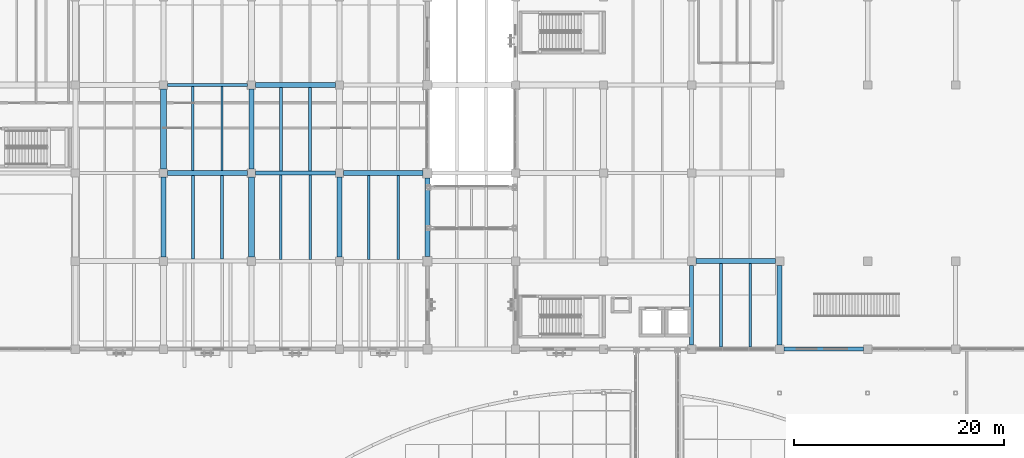
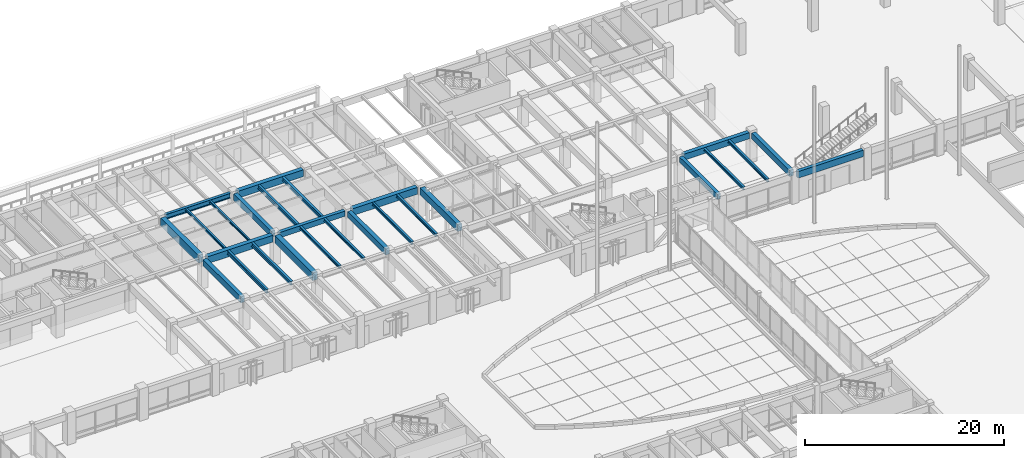
# One storey, part 46 of 135: 27 beams.
"""IFC4 building model written with IfcOpenShell, lengths in metres."""

from ifc_helpers import new_model, si_unit, direction, frame, origin, origin_2d, place, context, subcontext, project, spatial, rectangle, i_section, extrude, material, material_profile, profile_set, type_object, element, save


model = new_model("IFC4")

# Units and contexts
model_context = context("Model", 3, precision=1e-05, world=origin(), true_north=direction((0.0, 1.0)))
body_context = subcontext(model_context, "Body", "Model", "MODEL_VIEW")
ifc_project = project(units=[si_unit("LENGTHUNIT", "METRE"), si_unit("AREAUNIT", "SQUARE_METRE"), si_unit("VOLUMEUNIT", "CUBIC_METRE"), si_unit("PLANEANGLEUNIT", "RADIAN"), si_unit("MASSUNIT", "GRAM", prefix="KILO")], contexts=[model_context])

# Site, building, storey
site_placement = place(None, origin())
site = spatial("IfcSite", under=ifc_project, at=site_placement, CompositionType="ELEMENT")
building_placement = place(site_placement, origin())
building = spatial("IfcBuilding", under=site, at=building_placement, Name="Cumbredor Promenade Congress Hotel", CompositionType="ELEMENT")
storey_placement = place(building_placement, origin())
storey = spatial("IfcBuildingStorey", under=building, at=storey_placement, Name="L00", CompositionType="ELEMENT", Elevation=0.0)

# Beams
ifc_material_1 = material(Name="Concrete C40/50", Category="concrete")
ifc_material_profile_1 = material_profile(ifc_material_1, rectangle(XDim=0.39990234375, YDim=0.64990234375, at=origin_2d()), Name="RC BEAM 400x650")
ifc_profile_set_1 = profile_set([ifc_material_profile_1], Name="Concrete C40/50")
beam_type_1 = type_object("IfcBeamType", Name="BM-RC-400x650", PredefinedType="BEAM", material=ifc_profile_set_1)
beam_1_placement = place(storey_placement, frame((67.60009765625, 100.800048828125, 3.31494140625), z_axis=(1.0, 0.0, 0.0), x_axis=(0.0, 1.0, 0.0)))
element("IfcBeam", 1, at=beam_1_placement, inside=storey, type_object=beam_type_1, Name="L01 X-Grid Beam 126", PredefinedType="BEAM", context=body_context, shape_type="SweptSolid", body=[
    extrude(rectangle(XDim=0.39990234375, YDim=0.64990234375, at=origin_2d()), origin(), (0.0, 0.0, 1.0), 7.599853515625),
])
beam_2_placement = place(storey_placement, frame((109.199951171875, 84.39990234375, 3.31494140625), z_axis=(0.0, 1.0, 0.0), x_axis=(-1.0, 0.0, 0.0)))
element("IfcBeam", 2, at=beam_2_placement, inside=storey, type_object=beam_type_1, Name="L01 Y-Grid Beam 194", PredefinedType="BEAM", context=body_context, shape_type="SweptSolid", body=[
    extrude(rectangle(XDim=0.39990234375, YDim=0.64990234375, at=origin_2d()), origin(), (0.0, 0.0, 1.0), 7.60009765625),
])
ifc_material_profile_2 = material_profile(ifc_material_1, rectangle(XDim=0.449951171875, YDim=0.75, at=origin_2d()), Name="RC BEAM 450x750")
ifc_profile_set_2 = profile_set([ifc_material_profile_2], Name="Concrete C40/50")
beam_type_2 = type_object("IfcBeamType", Name="BM-RC-450x750", PredefinedType="BEAM", material=ifc_profile_set_2)
beam_3_placement = place(storey_placement, frame((58.800048828125, 92.800048828125, 3.264892578125), z_axis=(0.0, 1.0, 0.0), x_axis=(-1.0, 0.0, 0.0)))
element("IfcBeam", 3, at=beam_3_placement, inside=storey, type_object=beam_type_2, Name="L01 Y-Grid Beam 103", PredefinedType="BEAM", context=body_context, shape_type="SweptSolid", body=[
    extrude(rectangle(XDim=0.449951171875, YDim=0.75, at=origin_2d()), origin(), (0.0, 0.0, 1.0), 7.599853515625),
])
beam_4_placement = place(storey_placement, frame((67.199951171875, 101.199951171875, 3.264892578125), z_axis=(0.0, 1.0, 0.0), x_axis=(-1.0, 0.0, 0.0)))
element("IfcBeam", 4, at=beam_4_placement, inside=storey, type_object=beam_type_2, Name="L01 Y-Grid Beam 127", PredefinedType="BEAM", context=body_context, shape_type="SweptSolid", body=[
    extrude(rectangle(XDim=0.449951171875, YDim=0.75, at=origin_2d()), origin(), (0.0, 0.0, 1.0), 7.60009765625),
])
for number, where, z_axis, x_axis, name in (
    (5, (75.60009765625, 92.800048828125, 3.264892578125), (0.0, 1.0, 0.0), (-1.0, 0.0, 0.0), "L01 Y-Grid Beam 143"),
    (6, (109.60009765625, 92.39990234375, 3.264892578125), (1.0, 0.0, 0.0), (0.0, 1.0, 0.0), "L01 X-Grid Beam 195"),
):
    element("IfcBeam", number, at=place(storey_placement, frame(where, z_axis=z_axis, x_axis=x_axis)), inside=storey, type_object=beam_type_2, Name=name, PredefinedType="BEAM", context=body_context, shape_type="SweptSolid", body=[
        extrude(rectangle(XDim=0.449951171875, YDim=0.75, at=origin_2d()), origin(), (0.0, 0.0, 1.0), 7.599853515625),
    ])
beam_5_placement = place(storey_placement, frame((117.60009765625, 84.39990234375, 3.264892578125), z_axis=(0.0, 1.0, 0.0), x_axis=(-1.0, 0.0, 0.0)))
element("IfcBeam", 7, at=beam_5_placement, inside=storey, type_object=beam_type_2, Name="L01 Y-Grid Beam 203", PredefinedType="BEAM", context=body_context, shape_type="SweptSolid", body=[
    extrude(rectangle(XDim=0.449951171875, YDim=0.75, at=origin_2d()), origin(), (0.0, 0.0, 1.0), 7.60009765625),
])
ifc_material_profile_3 = material_profile(ifc_material_1, rectangle(XDim=0.5, YDim=0.85009765625, at=origin_2d()), Name="RC BEAM 500x850")
ifc_profile_set_3 = profile_set([ifc_material_profile_3], Name="Concrete C40/50")
beam_type_3 = type_object("IfcBeamType", Name="BM-RC-500x850", PredefinedType="BEAM", material=ifc_profile_set_3)
beam_6_placement = place(storey_placement, frame((59.199951171875, 100.800048828125, 3.215087890625), z_axis=(1.0, 0.0, 0.0), x_axis=(0.0, 1.0, 0.0)))
element("IfcBeam", 8, at=beam_6_placement, inside=storey, type_object=beam_type_3, Name="L01 X-Grid Beam 104", PredefinedType="BEAM", context=body_context, shape_type="SweptSolid", body=[
    extrude(rectangle(XDim=0.5, YDim=0.85009765625, at=origin_2d()), origin(), (0.0, 0.0, 1.0), 7.60009765625),
])
beam_7_placement = place(storey_placement, frame((67.60009765625, 109.199951171875, 3.215087890625), z_axis=(1.0, 0.0, 0.0), x_axis=(0.0, 1.0, 0.0)))
element("IfcBeam", 9, at=beam_7_placement, inside=storey, type_object=beam_type_3, Name="L01 X-Grid Beam 128", PredefinedType="BEAM", context=body_context, shape_type="SweptSolid", body=[
    extrude(rectangle(XDim=0.5, YDim=0.85009765625, at=origin_2d()), origin(), (0.0, 0.0, 1.0), 7.599853515625),
])
beam_8_placement = place(storey_placement, frame((76.0, 100.800048828125, 3.215087890625), z_axis=(1.0, 0.0, 0.0), x_axis=(0.0, 1.0, 0.0)))
element("IfcBeam", 10, at=beam_8_placement, inside=storey, type_object=beam_type_3, Name="L01 X-Grid Beam 144", PredefinedType="BEAM", context=body_context, shape_type="SweptSolid", body=[
    extrude(rectangle(XDim=0.5, YDim=0.85009765625, at=origin_2d()), origin(), (0.0, 0.0, 1.0), 7.550048828125),
])
beam_9_placement = place(storey_placement, frame((84.0, 92.85009765625, 3.215087890625), z_axis=(0.0, 1.0, 0.0), x_axis=(-1.0, 0.0, 0.0)))
element("IfcBeam", 11, at=beam_9_placement, inside=storey, type_object=beam_type_3, Name="L01 Y-Grid Beam 156", PredefinedType="BEAM", context=body_context, shape_type="SweptSolid", body=[
    extrude(rectangle(XDim=0.5, YDim=0.85009765625, at=origin_2d()), origin(), (0.0, 0.0, 1.0), 7.5),
])
ifc_material_profile_4 = material_profile(ifc_material_1, rectangle(XDim=0.550048828125, YDim=0.949951171875, at=origin_2d()), Name="RC BEAM 550x950")
ifc_profile_set_4 = profile_set([ifc_material_profile_4], Name="Concrete C40/50")
beam_type_4 = type_object("IfcBeamType", Name="BM-RC-550x950", PredefinedType="BEAM", material=ifc_profile_set_4)
beam_10_placement = place(storey_placement, frame((58.800048828125, 101.199951171875, 3.1650390625), z_axis=(0.0, 1.0, 0.0), x_axis=(-1.0, 0.0, 0.0)))
element("IfcBeam", 12, at=beam_10_placement, inside=storey, type_object=beam_type_4, Name="L01 Y-Grid Beam 105", PredefinedType="BEAM", context=body_context, shape_type="SweptSolid", body=[
    extrude(rectangle(XDim=0.550048828125, YDim=0.949951171875, at=origin_2d()), origin(), (0.0, 0.0, 1.0), 7.60009765625),
])
beam_11_placement = place(storey_placement, frame((67.199951171875, 92.800048828125, 3.1650390625), z_axis=(0.0, 1.0, 0.0), x_axis=(-1.0, 0.0, 0.0)))
element("IfcBeam", 13, at=beam_11_placement, inside=storey, type_object=beam_type_4, Name="L01 Y-Grid Beam 125", PredefinedType="BEAM", context=body_context, shape_type="SweptSolid", body=[
    extrude(rectangle(XDim=0.550048828125, YDim=0.949951171875, at=origin_2d()), origin(), (0.0, 0.0, 1.0), 7.599853515625),
])
ifc_material_2 = material(Name="Steel ASTM A992 Grade 50", Category="steel")
ifc_material_profile_5 = material_profile(ifc_material_2, i_section(OverallWidth=0.323974609375, OverallDepth=0.611083984375, WebThickness=0.0126953125, FlangeThickness=0.01904296875, at=origin_2d()), Name="W24X104")
ifc_profile_set_5 = profile_set([ifc_material_profile_5], Name="Steel ASTM A992 Grade 50")
beam_type_5 = type_object("IfcBeamType", Name="BM-W24X104", PredefinedType="BEAM", material=ifc_profile_set_5)
beam_12_placement = place(storey_placement, frame((59.199951171875, 109.199951171875, 3.33447265625), z_axis=(1.0, 0.0, 0.0), x_axis=(0.0, 1.0, 0.0)))
element("IfcBeam", 14, at=beam_12_placement, inside=storey, type_object=beam_type_5, Name="L01 X-Grid Beam 106", PredefinedType="BEAM", context=body_context, shape_type="SweptSolid", body=[
    extrude(i_section(OverallWidth=0.323974609375, OverallDepth=0.611083984375, WebThickness=0.0126953125, FlangeThickness=0.01904296875, at=origin_2d()), origin(), (0.0, 0.0, 1.0), 7.60009765625),
])
ifc_material_profile_6 = material_profile(ifc_material_2, i_section(OverallWidth=0.202880859375, OverallDepth=0.302978515625, WebThickness=0.007568359375, FlangeThickness=0.01318359375, at=origin_2d()), Name="W12X40")
ifc_profile_set_6 = profile_set([ifc_material_profile_6], Name="Steel ASTM A992 Grade 50")
beam_type_6 = type_object("IfcBeamType", Name="JST-W12X40", PredefinedType="JOIST", material=ifc_profile_set_6)
for number, where, z_axis, x_axis, name in (
    (15, (61.60009765625, 101.050048828125, 3.488525390625), (0.0, 1.0, 0.0), (-1.0, 0.0, 0.0), "L01 Secondary Floor Joist 0058"),
    (16, (64.39990234375, 101.050048828125, 3.488525390625), (0.0, 1.0, 0.0), (-1.0, 0.0, 0.0), "L01 Secondary Floor Joist 0059"),
):
    element("IfcBeam", number, at=place(storey_placement, frame(where, z_axis=z_axis, x_axis=x_axis)), inside=storey, type_object=beam_type_6, Name=name, PredefinedType="JOIST", context=body_context, shape_type="SweptSolid", body=[
        extrude(i_section(OverallWidth=0.202880859375, OverallDepth=0.302978515625, WebThickness=0.007568359375, FlangeThickness=0.01318359375, at=origin_2d()), origin(), (0.0, 0.0, 1.0), 7.988037109375),
    ])
ifc_material_profile_7 = material_profile(ifc_material_2, i_section(OverallWidth=0.2548828125, OverallDepth=0.35693359375, WebThickness=0.010498046875, FlangeThickness=0.018310546875, at=origin_2d()), Name="W14X68")
ifc_profile_set_7 = profile_set([ifc_material_profile_7], Name="Steel ASTM A992 Grade 50")
beam_type_7 = type_object("IfcBeamType", Name="JST-W14X68", PredefinedType="JOIST", material=ifc_profile_set_7)
for number, where, z_axis, x_axis, name in (
    (17, (70.0, 92.56201171875, 3.46142578125), (0.0, 1.0, 0.0), (-1.0, 0.0, 0.0), "L01 Secondary Floor Joist 0074"),
    (18, (72.800048828125, 92.56201171875, 3.46142578125), (0.0, 1.0, 0.0), (-1.0, 0.0, 0.0), "L01 Secondary Floor Joist 0075"),
):
    element("IfcBeam", number, at=place(storey_placement, frame(where, z_axis=z_axis, x_axis=x_axis)), inside=storey, type_object=beam_type_7, Name=name, PredefinedType="JOIST", context=body_context, shape_type="SweptSolid", body=[
        extrude(i_section(OverallWidth=0.2548828125, OverallDepth=0.35693359375, WebThickness=0.010498046875, FlangeThickness=0.018310546875, at=origin_2d()), origin(), (0.0, 0.0, 1.0), 8.0380859375),
    ])
for number, where, z_axis, x_axis, name in (
    (19, (78.39990234375, 92.56201171875, 3.46142578125), (0.0, 1.0, 0.0), (-1.0, 0.0, 0.0), "L01 Secondary Floor Joist 0084"),
    (20, (81.199951171875, 92.56201171875, 3.46142578125), (0.0, 1.0, 0.0), (-1.0, 0.0, 0.0), "L01 Secondary Floor Joist 0085"),
):
    element("IfcBeam", number, at=place(storey_placement, frame(where, z_axis=z_axis, x_axis=x_axis)), inside=storey, type_object=beam_type_7, Name=name, PredefinedType="JOIST", context=body_context, shape_type="SweptSolid", body=[
        extrude(i_section(OverallWidth=0.2548828125, OverallDepth=0.35693359375, WebThickness=0.010498046875, FlangeThickness=0.018310546875, at=origin_2d()), origin(), (0.0, 0.0, 1.0), 7.988037109375),
    ])
for number, where, z_axis, x_axis, name in (
    (21, (112.0, 84.199951171875, 3.46142578125), (0.0, 1.0, 0.0), (-1.0, 0.0, 0.0), "L01 Secondary Floor Joist 0114"),
    (22, (114.800048828125, 84.199951171875, 3.46142578125), (0.0, 1.0, 0.0), (-1.0, 0.0, 0.0), "L01 Secondary Floor Joist 0115"),
):
    element("IfcBeam", number, at=place(storey_placement, frame(where, z_axis=z_axis, x_axis=x_axis)), inside=storey, type_object=beam_type_7, Name=name, PredefinedType="JOIST", context=body_context, shape_type="SweptSolid", body=[
        extrude(i_section(OverallWidth=0.2548828125, OverallDepth=0.35693359375, WebThickness=0.010498046875, FlangeThickness=0.018310546875, at=origin_2d()), origin(), (0.0, 0.0, 1.0), 7.97509765625),
    ])
ifc_material_profile_8 = material_profile(ifc_material_2, i_section(OverallWidth=0.280029296875, OverallDepth=0.462890625, WebThickness=0.0107421875, FlangeThickness=0.017333984375, at=origin_2d()), Name="W18X76")
ifc_profile_set_8 = profile_set([ifc_material_profile_8], Name="Steel ASTM A992 Grade 50")
beam_type_8 = type_object("IfcBeamType", Name="JST-W18X76", PredefinedType="JOIST", material=ifc_profile_set_8)
for number, where, z_axis, x_axis, name in (
    (23, (61.60009765625, 92.60009765625, 3.408447265625), (0.0, 1.0, 0.0), (-1.0, 0.0, 0.0), "L01 Secondary Floor Joist 0056"),
    (24, (64.39990234375, 92.60009765625, 3.408447265625), (0.0, 1.0, 0.0), (-1.0, 0.0, 0.0), "L01 Secondary Floor Joist 0057"),
    (25, (70.0, 101.0, 3.408447265625), (0.0, 1.0, 0.0), (-1.0, 0.0, 0.0), "L01 Secondary Floor Joist 0076"),
    (26, (72.800048828125, 101.0, 3.408447265625), (0.0, 1.0, 0.0), (-1.0, 0.0, 0.0), "L01 Secondary Floor Joist 0077"),
):
    element("IfcBeam", number, at=place(storey_placement, frame(where, z_axis=z_axis, x_axis=x_axis)), inside=storey, type_object=beam_type_8, Name=name, PredefinedType="JOIST", context=body_context, shape_type="SweptSolid", body=[
        extrude(i_section(OverallWidth=0.280029296875, OverallDepth=0.462890625, WebThickness=0.0107421875, FlangeThickness=0.017333984375, at=origin_2d()), origin(), (0.0, 0.0, 1.0), 7.949951171875),
    ])
ifc_material_profile_9 = material_profile(ifc_material_1, rectangle(XDim=0.39990234375, YDim=0.800048828125, at=origin_2d()), Name="RC SPANDREL 400x800")
ifc_profile_set_9 = profile_set([ifc_material_profile_9], Name="Concrete C40/50")
beam_type_9 = type_object("IfcBeamType", Name="SP-RC-400x800", PredefinedType="SPANDREL", material=ifc_profile_set_9)
beam_13_placement = place(storey_placement, frame((118.0, 84.0, 3.239990234375), z_axis=(1.0, 0.0, 0.0), x_axis=(0.0, 1.0, 0.0)))
element("IfcBeam", 27, at=beam_13_placement, inside=storey, type_object=beam_type_9, Name="L01 X-Grid Beam 202", PredefinedType="SPANDREL", context=body_context, shape_type="SweptSolid", body=[
    extrude(rectangle(XDim=0.39990234375, YDim=0.800048828125, at=origin_2d()), origin(), (0.0, 0.0, 1.0), 7.60009765625),
])

save(model, "model.ifc")
